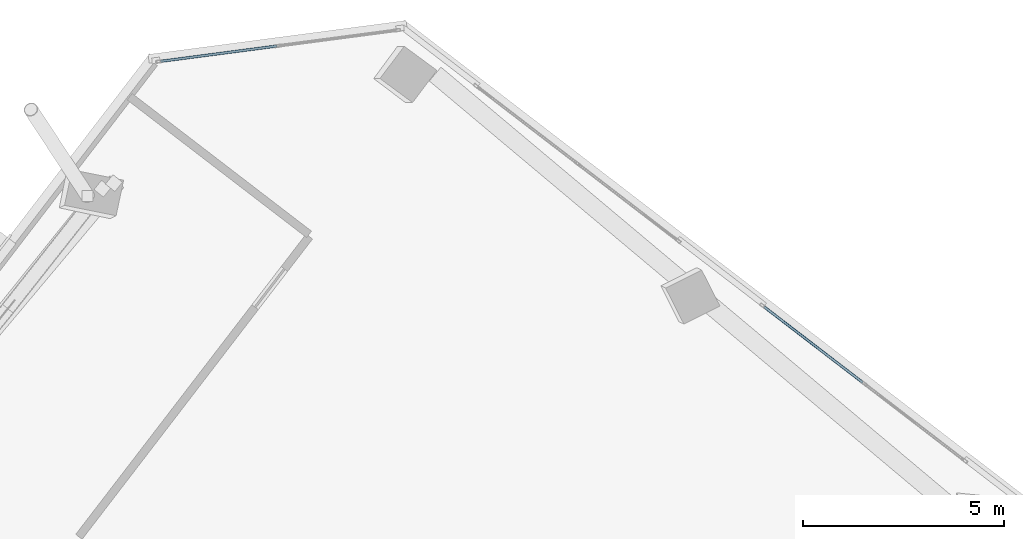
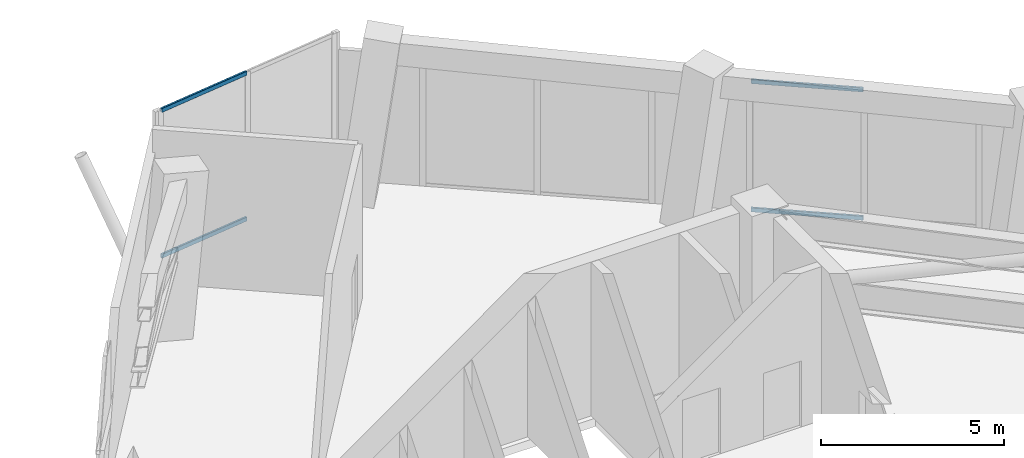
# One storey, part 13 of 22: 4 members, 2 elements without a shape of their own.
"""IFC4 building model written with IfcOpenShell, lengths in metres."""

from ifc_helpers import new_model, si_unit, direction, frame, origin, origin_2d, place, context, subcontext, project, spatial, hollow_rectangle, extrude, source, transform, mapped, material, material_profile, profile_set, type_object, element, aggregate, save


model = new_model("IFC4")

# Units and contexts
model_context = context("Model", 3, precision=1e-05, world=origin(), true_north=direction((0.0, 1.0)))
body_context = subcontext(model_context, "Body", "Model", "MODEL_VIEW")
ifc_project = project(units=[si_unit("LENGTHUNIT", "METRE"), si_unit("AREAUNIT", "SQUARE_METRE"), si_unit("VOLUMEUNIT", "CUBIC_METRE"), si_unit("PLANEANGLEUNIT", "RADIAN"), si_unit("MASSUNIT", "GRAM", prefix="KILO")], contexts=[model_context])

# Site, building, storey
site_placement = place(None, origin())
site = spatial("IfcSite", under=ifc_project, at=site_placement, CompositionType="ELEMENT")
building_placement = place(site_placement, origin())
building = spatial("IfcBuilding", under=site, at=building_placement, Name="Torre Montelarca", CompositionType="ELEMENT")
storey_placement = place(building_placement, frame((0.0, 0.0, 209.800048828125)))
storey = spatial("IfcBuildingStorey", under=building, at=storey_placement, Name="L47", CompositionType="ELEMENT", Elevation=209.800048828125)

# Curtain wall, members
ifc_material_1 = material(Name="Insulated low-E laminated glass", Category="glass")
curtain_wall_type = type_object("IfcCurtainWallType", Name="CW-SYS-Z2", PredefinedType="USERDEFINED", material=ifc_material_1)
curtain_wall_1_placement = place(storey_placement, origin())
curtain_wall_1 = element("IfcCurtainWall", 1, at=curtain_wall_1_placement, inside=storey, type_object=curtain_wall_type, Name="L47 Curtain Wall Run CW-T3-L47-E09-B1", ObjectType="UNITISED GLAZING", PredefinedType="USERDEFINED")
ifc_material_2 = material(Name="Anodised aluminium AA 6063-T6", Category="aluminium")
ifc_material_profile = material_profile(ifc_material_2, hollow_rectangle(XDim=0.06494140625, YDim=0.139892578125, WallThickness=0.00390625, InnerFilletRadius=0.00390625, OuterFilletRadius=0.008056640625, at=origin_2d()), Name="ALU65X140X4", Category="aluminium")
ifc_profile_set = profile_set([ifc_material_profile], Name="Anodised aluminium AA 6063-T6")
member_type = type_object("IfcMemberType", Name="CWT-ALU140", PredefinedType="USERDEFINED", material=ifc_profile_set)
shared_shape_1 = source(origin(), body_context, "Body", "SweptSolid", [
    extrude(hollow_rectangle(XDim=0.06494140625, YDim=0.139892578125, WallThickness=0.00390625, InnerFilletRadius=0.00390625, OuterFilletRadius=0.008056640625, at=origin_2d()), origin(), (0.0, 0.0, 1.0), 2.918701171875),
])
member_1_placement = place(storey_placement, frame((17.7197265625, 52.339599609375, 0.032470703125), z_axis=(-0.991439199861, -0.130569188474, 0.0), x_axis=(0.130569188474, -0.991439199861, 0.0)))
member_1 = element("IfcMember", 2, at=member_1_placement, type_object=member_type, Name="CW transom 2.1", ObjectType="TRANSOM", PredefinedType="USERDEFINED", context=body_context, shape_type="MappedRepresentation", body=[
    mapped(shared_shape_1, transform((0.0, 0.0, 0.0), scale=1.0)),
])
member_2_placement = place(storey_placement, frame((17.7197265625, 52.339599609375, 4.887451171875), z_axis=(-0.991439199861, -0.130569188474, 0.0), x_axis=(0.130569188474, -0.991439199861, 0.0)))
member_2 = element("IfcMember", 3, at=member_2_placement, type_object=member_type, Name="CW transom 2.2", ObjectType="TRANSOM", PredefinedType="USERDEFINED", context=body_context, shape_type="MappedRepresentation", body=[
    mapped(shared_shape_1, transform((0.0, 0.0, 0.0), scale=1.0)),
])
aggregate(curtain_wall_1, [member_1, member_2])

curtain_wall_2_placement = place(storey_placement, origin())
curtain_wall_2 = element("IfcCurtainWall", 4, at=curtain_wall_2_placement, inside=storey, type_object=curtain_wall_type, Name="L47 Curtain Wall Run CW-T3-L47-E08-B3", ObjectType="UNITISED GLAZING", PredefinedType="USERDEFINED")
shared_shape_2 = source(origin(), body_context, "Body", "SweptSolid", [
    extrude(hollow_rectangle(XDim=0.06494140625, YDim=0.139892578125, WallThickness=0.00390625, InnerFilletRadius=0.00390625, OuterFilletRadius=0.008056640625, at=origin_2d()), origin(), (0.0, 0.0, 1.0), 3.090576171875),
])
member_3_placement = place(storey_placement, frame((32.31396484375, 43.9580078125, 0.032470703125), z_axis=(-0.793363448304, 0.608748255763, 0.0), x_axis=(-0.608748255763, -0.793363448304, 0.0)))
member_3 = element("IfcMember", 5, at=member_3_placement, type_object=member_type, Name="CW transom 2.1", ObjectType="TRANSOM", PredefinedType="USERDEFINED", context=body_context, shape_type="MappedRepresentation", body=[
    mapped(shared_shape_2, transform((0.0, 0.0, 0.0), scale=1.0)),
])
member_4_placement = place(storey_placement, frame((32.31396484375, 43.9580078125, 4.302490234375), z_axis=(-0.793363448304, 0.608748255763, 0.0), x_axis=(-0.608748255763, -0.793363448304, 0.0)))
member_4 = element("IfcMember", 6, at=member_4_placement, type_object=member_type, Name="CW transom 2.2", ObjectType="TRANSOM", PredefinedType="USERDEFINED", context=body_context, shape_type="MappedRepresentation", body=[
    mapped(shared_shape_2, transform((0.0, 0.0, 0.0), scale=1.0)),
])
aggregate(curtain_wall_2, [member_3, member_4])

save(model, "model.ifc")
